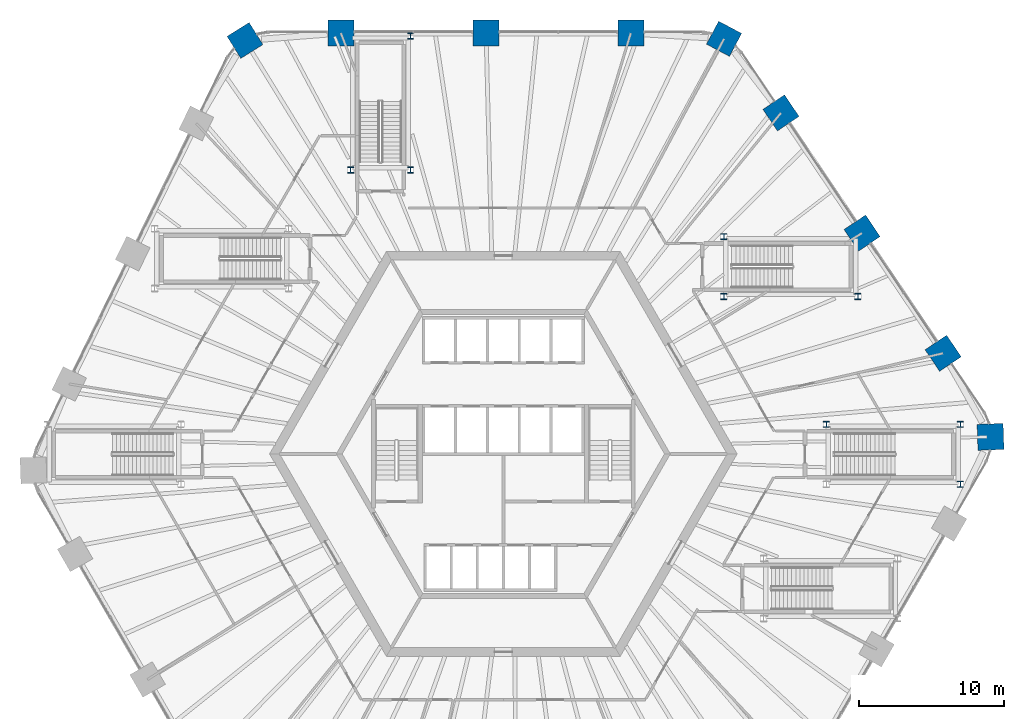
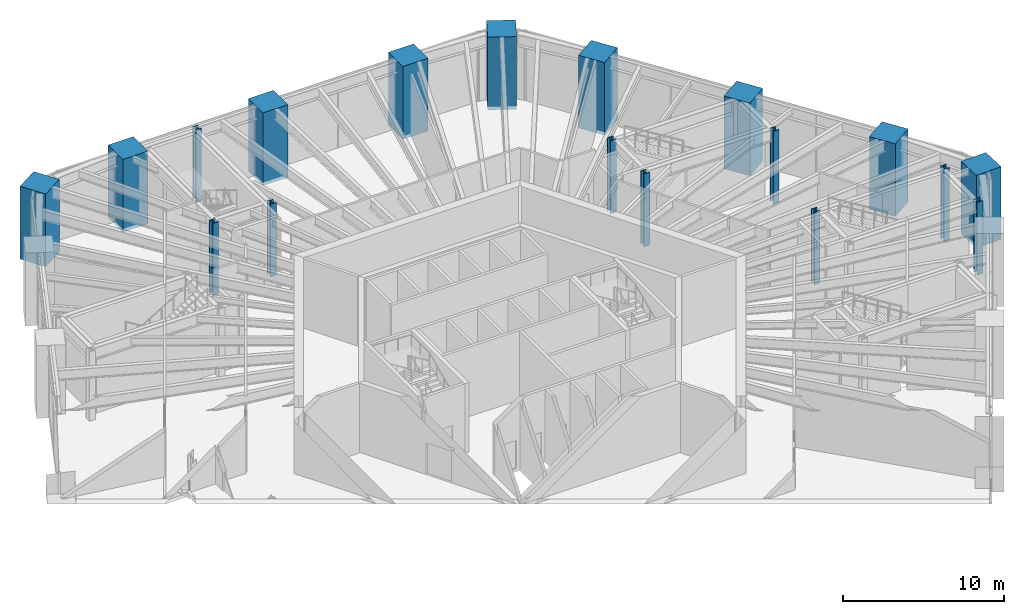
# One storey, part 2 of 30: 18 columns.
"""IFC4 building model written with IfcOpenShell, lengths in metres."""

from ifc_helpers import new_model, si_unit, direction, frame, origin, origin_2d, place, context, subcontext, project, spatial, rectangle, i_section, extrude, material, material_profile, profile_set, type_object, element, save


model = new_model("IFC4")

# Units and contexts
model_context = context("Model", 3, precision=1e-05, world=origin(), true_north=direction((0.0, 1.0)))
body_context = subcontext(model_context, "Body", "Model", "MODEL_VIEW")
ifc_project = project(units=[si_unit("LENGTHUNIT", "METRE"), si_unit("AREAUNIT", "SQUARE_METRE"), si_unit("VOLUMEUNIT", "CUBIC_METRE"), si_unit("PLANEANGLEUNIT", "RADIAN"), si_unit("MASSUNIT", "GRAM", prefix="KILO")], contexts=[model_context])

# Site, building, storey
site_placement = place(None, origin())
site = spatial("IfcSite", under=ifc_project, at=site_placement, CompositionType="ELEMENT")
building_placement = place(site_placement, origin())
building = spatial("IfcBuilding", under=site, at=building_placement, Name="Tarnside Tower", CompositionType="ELEMENT")
storey_placement = place(building_placement, frame((0.0, 0.0, 20.5)))
storey = spatial("IfcBuildingStorey", under=building, at=storey_placement, Name="L03", CompositionType="ELEMENT", Elevation=20.5)

# Columns
ifc_material_1 = material(Name="Concrete C80/95", Category="concrete")
ifc_material_profile_1 = material_profile(ifc_material_1, rectangle(XDim=1.800048828125, YDim=1.800048828125, at=origin_2d()), Name="Mega column 1800x1800")
ifc_profile_set_1 = profile_set([ifc_material_profile_1], Name="Concrete C80/95")
column_type_1 = type_object("IfcColumnType", Name="Mega column 1800 C80/95", PredefinedType="COLUMN", material=ifc_profile_set_1)
for number, where, z_axis, x_axis, name in (
    (1, (8.8125, 29.10009765625, -0.25), (0.0, 0.0, 1.0), (1.0, 0.0, 0.0), "Mega column M01"),
    (2, (-1.211181640625, 29.10009765625, -0.25), (0.0, 0.0, 1.0), (1.0, 0.0, 0.0), "Mega column M02"),
    (3, (-11.23486328125, 29.10009765625, -0.25), (0.0, 0.0, 1.0), (1.0, 0.0, 0.0), "Mega column M03"),
    (4, (-17.861083984375, 28.58349609375, -0.25), (0.0, 0.0, 1.0), (0.848048096156, 0.529919264233, 0.0), "Mega column M04"),
    (5, (33.6845703125, 1.17626953125, -0.25), (0.0, 0.0, 1.0), (0.034899496703, -0.999390827019, 0.0), "Mega column M20"),
    (6, (30.407470703125, 6.95849609375, -0.25), (0.0, 0.0, 1.0), (0.559192903471, -0.829037572555, 0.0), "Mega column M21"),
    (7, (24.80224609375, 15.2685546875, -0.25), (0.0, 0.0, 1.0), (0.559192903471, -0.829037572555, 0.0), "Mega column M22"),
    (8, (19.197021484375, 23.57861328125, -0.25), (0.0, 0.0, 1.0), (0.559192903471, -0.829037572555, 0.0), "Mega column M23"),
    (9, (15.260498046875, 28.700927734375, -0.25), (0.0, 0.0, 1.0), (0.882947592859, -0.469471562786, 0.0), "Mega column M24"),
):
    element("IfcColumn", number, at=place(storey_placement, frame(where, z_axis=z_axis, x_axis=x_axis)), inside=storey, type_object=column_type_1, Name=name, PredefinedType="COLUMN", context=body_context, shape_type="SweptSolid", body=[
        extrude(rectangle(XDim=1.800048828125, YDim=1.800048828125, at=origin_2d()), origin(), (0.0, 0.0, 1.0), 5.5),
    ])
ifc_material_2 = material(Name="Steel S460", Category="steel")
ifc_material_profile_2 = material_profile(ifc_material_2, i_section(OverallWidth=0.412109375, OverallDepth=0.4365234375, WebThickness=0.035888671875, FlangeThickness=0.05810546875, FilletRadius=0.01513671875, at=origin_2d()), Name="UC 356x406x467")
ifc_profile_set_2 = profile_set([ifc_material_profile_2], Name="Steel S460")
column_type_2 = type_object("IfcColumnType", Name="Steel column UC 356x406x467", PredefinedType="COLUMN", material=ifc_profile_set_2)
for number, where, z_axis, x_axis, name in (
    (10, (-6.41943359375, 28.895263671875, -0.25), (0.0, 0.0, 1.0), (1.0, 0.0, 0.0), "Trimmer column V01.02"),
    (11, (-6.41943359375, 19.634765625, -0.25), (0.0, 0.0, 1.0), (1.0, 0.0, 0.0), "Trimmer column V01.03"),
    (12, (-10.56005859375, 19.634765625, -0.25), (0.0, 0.0, 1.0), (1.0, 0.0, 0.0), "Trimmer column V01.04"),
    (13, (31.59521484375, 2.04541015625, -0.25), (0.0, 0.0, 1.0), (1.0, 0.0, 0.0), "Trimmer column V03.01"),
    (14, (31.59521484375, -2.09521484375, -0.25), (0.0, 0.0, 1.0), (1.0, 0.0, 0.0), "Trimmer column V03.02"),
    (15, (22.334716796875, 2.04541015625, -0.25), (0.0, 0.0, 1.0), (1.0, 0.0, 0.0), "Trimmer column V03.04"),
    (16, (24.50537109375, 10.879638671875, -0.25), (0.0, 0.0, 1.0), (1.0, 0.0, 0.0), "Trimmer column V04.02"),
    (17, (15.24462890625, 10.879638671875, -0.25), (0.0, 0.0, 1.0), (1.0, 0.0, 0.0), "Trimmer column V04.03"),
    (18, (15.24462890625, 15.020263671875, -0.25), (0.0, 0.0, 1.0), (1.0, 0.0, 0.0), "Trimmer column V04.04"),
):
    element("IfcColumn", number, at=place(storey_placement, frame(where, z_axis=z_axis, x_axis=x_axis)), inside=storey, type_object=column_type_2, Name=name, PredefinedType="COLUMN", context=body_context, shape_type="SweptSolid", body=[
        extrude(i_section(OverallWidth=0.412109375, OverallDepth=0.4365234375, WebThickness=0.035888671875, FlangeThickness=0.05810546875, FilletRadius=0.01513671875, at=origin_2d()), origin(), (0.0, 0.0, 1.0), 5.5),
    ])

save(model, "model.ifc")
